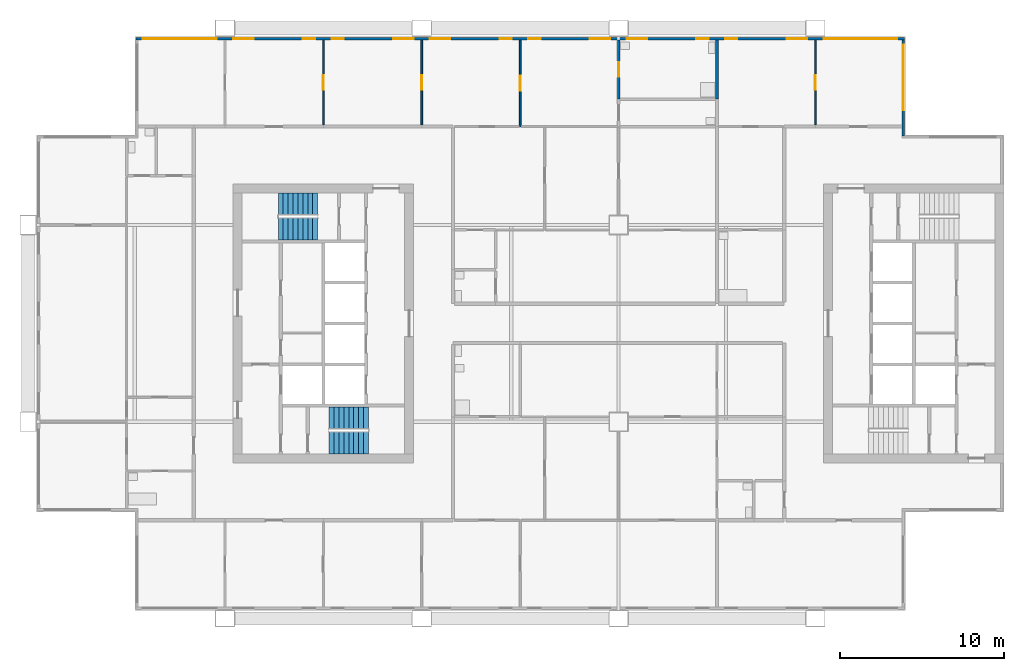
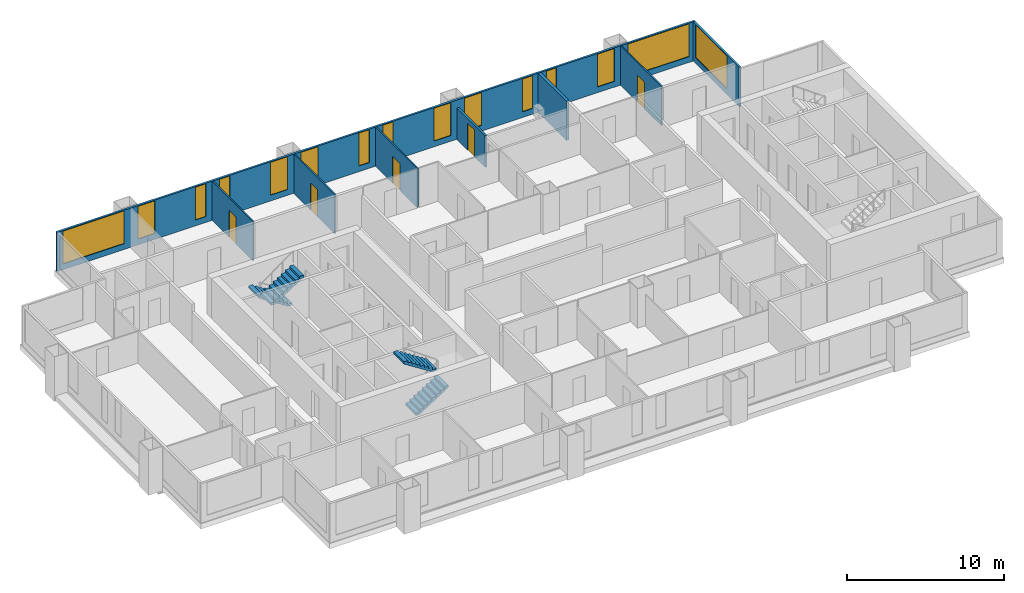
# One storey, part 7 of 10: 15 windows, 8 walls, 5 doors, 4 stair flights, 20 openings, 2 elements without a shape of their own.
"""IFC4 building model written with IfcOpenShell, lengths in metres."""

import ifcopenshell
import ifcopenshell.guid

model = None  # the IFC model being written
_history = None  # IfcOwnerHistory: only IFC2X3 demands one
_inside = {}  # id of a spatial element -> (the spatial element, [elements in it])
_under = {}  # id of a project, library or spatial element -> (it, [spatial elements below it])
_declared = {}  # id of a project -> (the project, [libraries it declares])
_typed = {}  # id of a type object -> (the type object, [elements of that type])
_made_of = {}  # id of a material, layer set ... -> (it, [elements and type objects made of it])


def new_model(schema):
    """Start an empty IFC model of exactly this schema.

    Asked for "IFC4X3", IfcOpenShell would pick the latest addendum, in which some entities
    have other attributes; the version numbers below select the first issue.
    IFC2X3 requires an IfcOwnerHistory on every rooted entity: one is made here for all.
    """
    global model, _history
    if schema == "IFC4X3":
        model = ifcopenshell.file(schema_version=(4, 3, 0, 0))
    else:
        model = ifcopenshell.file(schema=schema)
    _inside.clear()
    _under.clear()
    _declared.clear()
    _typed.clear()
    _made_of.clear()
    _history = None
    if model.schema == "IFC2X3":
        org = make("IfcOrganization", Name="unknown")
        user = make(
            "IfcPersonAndOrganization",
            ThePerson=make("IfcPerson", FamilyName="unknown"),
            TheOrganization=org,
        )
        app = make(
            "IfcApplication",
            ApplicationDeveloper=org,
            Version="unknown",
            ApplicationFullName="unknown",
            ApplicationIdentifier="unknown",
        )
        _history = make(
            "IfcOwnerHistory",
            OwningUser=user,
            OwningApplication=app,
            ChangeAction="ADDED",
            CreationDate=0,
        )
    return model


def make(cls, **values):
    """One entity of the class cls with the attributes given. An attribute that is None is left unset."""
    return model.create_entity(
        cls, **{name: value for name, value in values.items() if value is not None}
    )


def rooted(cls, **values):
    """An entity with a GlobalId (a new one), such as an element, a storey or a relation."""
    return make(cls, GlobalId=ifcopenshell.guid.new(), OwnerHistory=_history, **values)


def si_unit(unit_type, name, prefix=None):
    """IfcSIUnit, for example si_unit("LENGTHUNIT", "METRE", prefix="MILLI")."""
    return make("IfcSIUnit", UnitType=unit_type, Prefix=prefix, Name=name)


def assignment(units):
    """IfcUnitAssignment: the units of a project."""
    return None if units is None else make("IfcUnitAssignment", Units=units)


def point(xyz):
    """IfcCartesianPoint."""
    return None if xyz is None else make("IfcCartesianPoint", Coordinates=xyz)


def direction(xyz):
    """IfcDirection."""
    return None if xyz is None else make("IfcDirection", DirectionRatios=xyz)


def frame(location, z_axis=None, x_axis=None):
    """IfcAxis2Placement3D, a coordinate frame: its origin and axes. An axis left out is left unset."""
    return make(
        "IfcAxis2Placement3D",
        Location=point(location),
        Axis=direction(z_axis),
        RefDirection=direction(x_axis),
    )


def frame_2d(location, x_axis=None):
    """IfcAxis2Placement2D, a coordinate frame in the plane: its origin and x axis."""
    return make(
        "IfcAxis2Placement2D", Location=point(location), RefDirection=direction(x_axis)
    )


def origin():
    """The frame at (0, 0, 0) with its axes left unset."""
    return frame((0.0, 0.0, 0.0))


def place(relative_to, where):
    """IfcLocalPlacement: puts the frame where relative to a parent placement (None: the world)."""
    return make(
        "IfcLocalPlacement", PlacementRelTo=relative_to, RelativePlacement=where
    )


def context(
    kind, dimensions, precision=None, world=None, true_north=None, identifier=None
):
    """IfcGeometricRepresentationContext, for example the 3D "Model" context."""
    return make(
        "IfcGeometricRepresentationContext",
        ContextIdentifier=identifier,
        ContextType=kind,
        CoordinateSpaceDimension=dimensions,
        Precision=precision,
        WorldCoordinateSystem=world,
        TrueNorth=true_north,
    )


def subcontext(parent, identifier, kind, view, scale=None):
    """IfcGeometricRepresentationSubContext, for example "Body" below "Model"."""
    return make(
        "IfcGeometricRepresentationSubContext",
        ContextIdentifier=identifier,
        ContextType=kind,
        ParentContext=parent,
        TargetScale=scale,
        TargetView=view,
    )


def project(units=None, contexts=None):
    """IfcProject with its units and contexts."""
    return rooted(
        "IfcProject",
        Name="project",
        RepresentationContexts=contexts,
        UnitsInContext=assignment(units),
    )


def spatial(cls, under=None, at=None, **own):
    """A site, building, storey or space (cls), placed at a placement, below another one or the project."""
    s = rooted(cls, ObjectPlacement=at, **own)
    if under is not None:
        _under.setdefault(under.id(), (under, []))[1].append(s)
    return s


def polyline(points):
    """IfcPolyline through the points."""
    return make("IfcPolyline", Points=[point(p) for p in points])


def profile(cls, at=None, kind="AREA", **sizes):
    """A parametric profile (cls). Its sizes go by their IFC names, for example OverallWidth=200.0."""
    return make(cls, ProfileType=kind, Position=at, **sizes)


def rectangle(**sizes):
    """IfcRectangleProfileDef."""
    return profile("IfcRectangleProfileDef", **sizes)


def outline(outer, holes=None, kind="AREA"):
    """IfcArbitraryClosedProfileDef: a profile drawn as a closed curve; with holes, ...WithVoids."""
    if holes is None:
        return make("IfcArbitraryClosedProfileDef", ProfileType=kind, OuterCurve=outer)
    return make(
        "IfcArbitraryProfileDefWithVoids",
        ProfileType=kind,
        OuterCurve=outer,
        InnerCurves=holes,
    )


def extrude(swept, where, along, depth):
    """IfcExtrudedAreaSolid: the profile swept, set in the frame where, extruded along a direction by depth."""
    return make(
        "IfcExtrudedAreaSolid",
        SweptArea=swept,
        Position=where,
        ExtrudedDirection=direction(along),
        Depth=depth,
    )


def shape(context_of_items, identifier, shape_type, items):
    """IfcShapeRepresentation: the items that make up one representation, for example the "Body"."""
    return make(
        "IfcShapeRepresentation",
        ContextOfItems=context_of_items,
        RepresentationIdentifier=identifier,
        RepresentationType=shape_type,
        Items=items,
    )


def material(Name=None, Category=None):
    """IfcMaterial."""
    return make("IfcMaterial", Name=Name, Category=Category)


def layer(
    of_material, thickness, ventilated=None, Name=None, Category=None, Priority=None
):
    """IfcMaterialLayer: one layer of a wall or slab, of a material (None: an air gap)."""
    return make(
        "IfcMaterialLayer",
        Material=of_material,
        LayerThickness=thickness,
        IsVentilated=ventilated,
        Name=Name,
        Category=Category,
        Priority=Priority,
    )


def layer_set(layers, Name=None):
    """IfcMaterialLayerSet."""
    return make("IfcMaterialLayerSet", MaterialLayers=layers, LayerSetName=Name)


def made_of(thing, what):
    """Note that an element or type object is made of a material, layer set ...; save() writes the relation."""
    if what is not None:
        _made_of.setdefault(what.id(), (what, []))[1].append(thing)
    return thing


def type_object(cls, material=None, **own):
    """A type object (cls), such as IfcWallType, which elements share."""
    return made_of(rooted(cls, **own), material)


def element(
    cls,
    number,
    at=None,
    inside=None,
    cuts=None,
    type_object=None,
    material=None,
    context=None,
    identifier="Body",
    shape_type=None,
    held_by="IfcProductDefinitionShape",
    body=None,
    shapes=None,
    **own,
):
    """One element of the class cls, such as IfcWall. Its Tag is "e" and its number.

    at: its placement. inside: the storey or other place that contains it. cuts: it is an
    opening in that element (IfcRelVoidsElement). A single representation is given by context,
    identifier, shape_type and body (its items); several are given by shapes. held_by: the class
    of the entity that holds the representations. save() writes the other relations.
    """
    e = rooted(cls, Tag="e%d" % number, ObjectPlacement=at, **own)
    if body is not None:
        shapes = [shape(context, identifier, shape_type, body)]
    if shapes is not None:
        e.Representation = make(held_by, Representations=shapes)
    if inside is not None:
        _inside.setdefault(inside.id(), (inside, []))[1].append(e)
    if cuts is not None:
        rooted(
            "IfcRelVoidsElement", RelatingBuildingElement=cuts, RelatedOpeningElement=e
        )
    if type_object is not None:
        _typed.setdefault(type_object.id(), (type_object, []))[1].append(e)
    return made_of(e, material)


def fill(opening, filler):
    """IfcRelFillsElement: the door or window that sits in an opening."""
    return rooted(
        "IfcRelFillsElement",
        RelatingOpeningElement=opening,
        RelatedBuildingElement=filler,
    )


def aggregate(whole, parts):
    """IfcRelAggregates: a whole, such as a stair, and the parts it consists of."""
    return rooted("IfcRelAggregates", RelatingObject=whole, RelatedObjects=parts)


def save(model, path):
    """Write the relations noted so far, then the file.

    IfcRelAggregates (storeys below a building ...), IfcRelContainedInSpatialStructure (elements
    in a storey), IfcRelDefinesByType, IfcRelAssociatesMaterial and IfcRelDeclares: one each for
    every whole, place, type object, material and project.
    """
    for whole, parts in _under.values():
        aggregate(whole, parts)
    for where, things in _inside.values():
        rooted(
            "IfcRelContainedInSpatialStructure",
            RelatedElements=things,
            RelatingStructure=where,
        )
    for kind, things in _typed.values():
        rooted("IfcRelDefinesByType", RelatedObjects=things, RelatingType=kind)
    for what, things in _made_of.values():
        rooted("IfcRelAssociatesMaterial", RelatedObjects=things, RelatingMaterial=what)
    for by, libraries in _declared.values():
        rooted("IfcRelDeclares", RelatingContext=by, RelatedDefinitions=libraries)
    model.write(path)


model = new_model("IFC4")

# Units and contexts
model_context = context("Model", 3, precision=1e-05, world=origin(), true_north=direction((0.0, 1.0)))
body_context = subcontext(model_context, "Body", "Model", "MODEL_VIEW")
ifc_project = project(units=[si_unit("LENGTHUNIT", "METRE"), si_unit("AREAUNIT", "SQUARE_METRE"), si_unit("VOLUMEUNIT", "CUBIC_METRE"), si_unit("PLANEANGLEUNIT", "RADIAN"), si_unit("MASSUNIT", "GRAM", prefix="KILO")], contexts=[model_context])

# Site, building, storey
site_placement = place(None, origin())
site = spatial("IfcSite", under=ifc_project, at=site_placement, CompositionType="ELEMENT")
building_placement = place(site_placement, origin())
building = spatial("IfcBuilding", under=site, at=building_placement, Name="Kitamizu Gate Tower and Museum", CompositionType="ELEMENT")
storey_placement = place(building_placement, frame((0.0, 0.0, 185.85009765625)))
storey = spatial("IfcBuildingStorey", under=building, at=storey_placement, Name="L49", CompositionType="ELEMENT", Elevation=185.85009765625)

# Wall, opening, door
ifc_material_1 = material(Name="Gypsum board on galvanised stud")
ifc_layer_1 = layer(ifc_material_1, 0.10009765625)
ifc_layer_set_1 = layer_set([ifc_layer_1], Name="Gypsum board on galvanised stud")
wall_type_1 = type_object("IfcWallType", Name="Partition 100 NOT RATED", PredefinedType="PARTITIONING", material=ifc_layer_set_1)
wall_1_placement = place(storey_placement, frame((18.0, 42.10009765625, 0.0), z_axis=(0.0, 0.0, 1.0), x_axis=(0.0, 1.0, 0.0)))
wall_1 = element("IfcWall", 1, at=wall_1_placement, inside=storey, type_object=wall_type_1, Name="Partition L49-045", PredefinedType="PARTITIONING", context=body_context, shape_type="SweptSolid", body=[
    extrude(rectangle(XDim=5.179931640625, YDim=0.10009765625, at=frame_2d((2.58984375, 0.0))), origin(), (0.0, 0.0, 1.0), 3.0498046875),
])
opening_1_placement = place(wall_1_placement, frame((2.139892578125, 0.0, 0.0)))
opening_1 = element("IfcOpeningElement", 2, at=opening_1_placement, cuts=wall_1, Name="Opening L49-016", PredefinedType="OPENING", context=body_context, shape_type="SweptSolid", body=[
    extrude(rectangle(XDim=0.89990234375, YDim=2.10009765625, at=frame_2d((0.449951171875, 1.050048828125))), frame((0.0, 0.06005859375, 0.0), z_axis=(0.0, -1.0, 0.0), x_axis=(1.0, 0.0, 0.0)), (0.0, 0.0, 1.0), 0.1201171875),
])
ifc_material_2 = material(Name="Timber door set", Category="wood")
door_type_1 = type_object("IfcDoorType", Name="Room door 900", OperationType="NOTDEFINED", PredefinedType="DOOR", material=ifc_material_2)
door_1_placement = place(opening_1_placement, frame((0.89990234375, 0.0, 0.0), x_axis=(-1.0, 0.0, 0.0)))
door_1 = element("IfcDoor", 3, at=door_1_placement, inside=storey, type_object=door_type_1, Name="Door L49-016", OperationType="SINGLE_SWING_RIGHT", OverallHeight=2.10009765625, OverallWidth=0.89990234375, PredefinedType="DOOR", context=body_context, shape_type="SweptSolid", body=[
    extrude(rectangle(XDim=0.89990234375, YDim=2.10009765625, at=frame_2d((0.449951171875, 1.050048828125))), frame((0.0, 0.02490234375, 0.0), z_axis=(0.0, -1.0, 0.0), x_axis=(1.0, 0.0, 0.0)), (0.0, 0.0, 1.0), 0.050048828125),
])
fill(opening_1, door_1)

wall_2_placement = place(storey_placement, frame((24.0, 42.10009765625, 0.0), z_axis=(0.0, 0.0, 1.0), x_axis=(0.0, 1.0, 0.0)))
wall_2 = element("IfcWall", 4, at=wall_2_placement, inside=storey, type_object=wall_type_1, Name="Partition L49-047", PredefinedType="PARTITIONING", context=body_context, shape_type="SweptSolid", body=[
    extrude(rectangle(XDim=5.179931640625, YDim=0.10009765625, at=frame_2d((2.58984375, 0.0))), origin(), (0.0, 0.0, 1.0), 3.0498046875),
])
opening_2_placement = place(wall_2_placement, frame((2.139892578125, 0.0, 0.0)))
opening_2 = element("IfcOpeningElement", 5, at=opening_2_placement, cuts=wall_2, Name="Opening L49-018", PredefinedType="OPENING", context=body_context, shape_type="SweptSolid", body=[
    extrude(rectangle(XDim=0.89990234375, YDim=2.10009765625, at=frame_2d((0.449951171875, 1.050048828125))), frame((0.0, 0.06005859375, 0.0), z_axis=(0.0, -1.0, 0.0), x_axis=(1.0, 0.0, 0.0)), (0.0, 0.0, 1.0), 0.1201171875),
])
door_2_placement = place(opening_2_placement, origin())
door_2 = element("IfcDoor", 6, at=door_2_placement, inside=storey, type_object=door_type_1, Name="Door L49-018", OperationType="SINGLE_SWING_LEFT", OverallHeight=2.10009765625, OverallWidth=0.89990234375, PredefinedType="DOOR", context=body_context, shape_type="SweptSolid", body=[
    extrude(rectangle(XDim=0.89990234375, YDim=2.10009765625, at=frame_2d((0.449951171875, 1.050048828125))), frame((0.0, 0.02490234375, 0.0), z_axis=(0.0, -1.0, 0.0), x_axis=(1.0, 0.0, 0.0)), (0.0, 0.0, 1.0), 0.050048828125),
])
fill(opening_2, door_2)

wall_3_placement = place(storey_placement, frame((30.0, 42.0, 0.0), z_axis=(0.0, 0.0, 1.0), x_axis=(0.0, 1.0, 0.0)))
wall_3 = element("IfcWall", 7, at=wall_3_placement, inside=storey, type_object=wall_type_1, Name="Partition L49-049", PredefinedType="PARTITIONING", context=body_context, shape_type="SweptSolid", body=[
    extrude(rectangle(XDim=5.280029296875, YDim=0.10009765625, at=frame_2d((2.64013671875, 0.0))), origin(), (0.0, 0.0, 1.0), 3.0498046875),
])
opening_3_placement = place(wall_3_placement, frame((2.18994140625, 0.0, 0.0)))
opening_3 = element("IfcOpeningElement", 8, at=opening_3_placement, cuts=wall_3, Name="Opening L49-019", PredefinedType="OPENING", context=body_context, shape_type="SweptSolid", body=[
    extrude(rectangle(XDim=0.89990234375, YDim=2.10009765625, at=frame_2d((0.449951171875, 1.050048828125))), frame((0.0, 0.06005859375, 0.0), z_axis=(0.0, -1.0, 0.0), x_axis=(1.0, 0.0, 0.0)), (0.0, 0.0, 1.0), 0.1201171875),
])
door_3_placement = place(opening_3_placement, origin())
door_3 = element("IfcDoor", 9, at=door_3_placement, inside=storey, type_object=door_type_1, Name="Door L49-019", OperationType="SINGLE_SWING_RIGHT", OverallHeight=2.10009765625, OverallWidth=0.89990234375, PredefinedType="DOOR", context=body_context, shape_type="SweptSolid", body=[
    extrude(rectangle(XDim=0.89990234375, YDim=2.10009765625, at=frame_2d((0.449951171875, 1.050048828125))), frame((0.0, 0.02490234375, 0.0), z_axis=(0.0, -1.0, 0.0), x_axis=(1.0, 0.0, 0.0)), (0.0, 0.0, 1.0), 0.050048828125),
])
fill(opening_3, door_3)

wall_4_placement = place(storey_placement, frame((48.0, 42.10009765625, 0.0), z_axis=(0.0, 0.0, 1.0), x_axis=(0.0, 1.0, 0.0)))
wall_4 = element("IfcWall", 10, at=wall_4_placement, inside=storey, type_object=wall_type_1, Name="Partition L49-098", PredefinedType="PARTITIONING", context=body_context, shape_type="SweptSolid", body=[
    extrude(rectangle(XDim=5.179931640625, YDim=0.10009765625, at=frame_2d((2.58984375, 0.0))), origin(), (0.0, 0.0, 1.0), 3.0498046875),
])
opening_4_placement = place(wall_4_placement, frame((2.139892578125, 0.0, 0.0)))
opening_4 = element("IfcOpeningElement", 11, at=opening_4_placement, cuts=wall_4, Name="Opening L49-037", PredefinedType="OPENING", context=body_context, shape_type="SweptSolid", body=[
    extrude(rectangle(XDim=0.89990234375, YDim=2.10009765625, at=frame_2d((0.449951171875, 1.050048828125))), frame((0.0, 0.06005859375, 0.0), z_axis=(0.0, -1.0, 0.0), x_axis=(1.0, 0.0, 0.0)), (0.0, 0.0, 1.0), 0.1201171875),
])
door_4_placement = place(opening_4_placement, origin())
door_4 = element("IfcDoor", 12, at=door_4_placement, inside=storey, type_object=door_type_1, Name="Door L49-037", OperationType="SINGLE_SWING_LEFT", OverallHeight=2.10009765625, OverallWidth=0.89990234375, PredefinedType="DOOR", context=body_context, shape_type="SweptSolid", body=[
    extrude(rectangle(XDim=0.89990234375, YDim=2.10009765625, at=frame_2d((0.449951171875, 1.050048828125))), frame((0.0, 0.02490234375, 0.0), z_axis=(0.0, -1.0, 0.0), x_axis=(1.0, 0.0, 0.0)), (0.0, 0.0, 1.0), 0.050048828125),
])
fill(opening_4, door_4)

ifc_material_3 = material(Name="Gypsum board on galvanised stud")
ifc_layer_2 = layer(ifc_material_3, 0.14990234375)
ifc_layer_set_2 = layer_set([ifc_layer_2], Name="Gypsum board on galvanised stud")
wall_type_2 = type_object("IfcWallType", Name="Partition 150", PredefinedType="PARTITIONING", material=ifc_layer_set_2)
wall_5_placement = place(storey_placement, frame((36.0, 43.679931640625, 0.0), z_axis=(0.0, 0.0, 1.0), x_axis=(0.0, 1.0, 0.0)))
wall_5 = element("IfcWall", 13, at=wall_5_placement, inside=storey, type_object=wall_type_2, Name="Partition L49-052", PredefinedType="PARTITIONING", context=body_context, shape_type="SweptSolid", body=[
    extrude(rectangle(XDim=3.60009765625, YDim=0.14990234375, at=frame_2d((1.800048828125, 0.0))), origin(), (0.0, 0.0, 1.0), 2.449951171875),
])
opening_5_placement = place(wall_5_placement, frame((1.35009765625, 0.0, 0.0)))
opening_5 = element("IfcOpeningElement", 14, at=opening_5_placement, cuts=wall_5, Name="Opening L49-020", PredefinedType="OPENING", context=body_context, shape_type="SweptSolid", body=[
    extrude(rectangle(XDim=0.89990234375, YDim=2.10009765625, at=frame_2d((0.449951171875, 1.050048828125))), frame((0.0, 0.0849609375, 0.0), z_axis=(0.0, -1.0, 0.0), x_axis=(1.0, 0.0, 0.0)), (0.0, 0.0, 1.0), 0.169921875),
])
ifc_material_4 = material(Name="Timber door set", Category="wood")
door_type_2 = type_object("IfcDoorType", Name="Bathroom door 900", OperationType="NOTDEFINED", PredefinedType="DOOR", material=ifc_material_4)
door_5_placement = place(opening_5_placement, frame((0.89990234375, 0.0, 0.0), x_axis=(-1.0, 0.0, 0.0)))
door_5 = element("IfcDoor", 15, at=door_5_placement, inside=storey, type_object=door_type_2, Name="Bathroom door L49-020", OperationType="SINGLE_SWING_RIGHT", OverallHeight=2.10009765625, OverallWidth=0.89990234375, PredefinedType="DOOR", context=body_context, shape_type="SweptSolid", body=[
    extrude(rectangle(XDim=0.89990234375, YDim=2.10009765625, at=frame_2d((0.449951171875, 1.050048828125))), frame((0.0, 0.02490234375, 0.0), z_axis=(0.0, -1.0, 0.0), x_axis=(1.0, 0.0, 0.0)), (0.0, 0.0, 1.0), 0.050048828125),
])
fill(opening_5, door_5)

# Wall
ifc_material_5 = material(Name="Gypsum board on galvanised stud")
ifc_layer_3 = layer(ifc_material_5, 0.199951171875)
ifc_layer_set_3 = layer_set([ifc_layer_3], Name="Gypsum board on galvanised stud")
wall_type_3 = type_object("IfcWallType", Name="Partition 200", PredefinedType="PARTITIONING", material=ifc_layer_set_3)
wall_6_placement = place(storey_placement, frame((42.0, 43.679931640625, 0.0), z_axis=(0.0, 0.0, 1.0), x_axis=(0.0, 1.0, 0.0)))
element("IfcWall", 16, at=wall_6_placement, inside=storey, type_object=wall_type_3, Name="Partition L49-057", PredefinedType="PARTITIONING", context=body_context, shape_type="SweptSolid", body=[
    extrude(rectangle(XDim=3.60009765625, YDim=0.199951171875, at=frame_2d((1.800048828125, 0.0))), origin(), (0.0, 0.0, 1.0), 3.0498046875),
])

# Wall, opening, window
ifc_material_6 = material(Name="Bronze anodised aluminium frame with insulated spandrel and tinted glass", Category="aluminium")
ifc_layer_4 = layer(ifc_material_6, 0.14990234375)
ifc_layer_set_4 = layer_set([ifc_layer_4], Name="Bronze anodised aluminium frame with insulated spandrel and tinted glass")
wall_type_4 = type_object("IfcWallType", Name="WINDOW WALL 150 BRONZE FRAME EI 30", PredefinedType="ELEMENTEDWALL", material=ifc_layer_set_4)
wall_7_placement = place(storey_placement, frame((53.364990234375, 41.43994140625, 0.0), z_axis=(0.0, 0.0, 1.0), x_axis=(0.0, 1.0, 0.0)))
wall_7 = element("IfcWall", 17, at=wall_7_placement, inside=storey, type_object=wall_type_4, Name="Window wall east L49", PredefinedType="ELEMENTEDWALL", context=body_context, shape_type="SweptSolid", body=[
    extrude(rectangle(XDim=5.85009765625, YDim=0.14990234375, at=frame_2d((2.925048828125, 0.0))), origin(), (0.0, 0.0, 1.0), 3.0498046875),
])
opening_6_placement = place(wall_7_placement, frame((1.56005859375, 0.0, 0.449951171875)))
opening_6 = element("IfcOpeningElement", 18, at=opening_6_placement, cuts=wall_7, Name="Opening W16", PredefinedType="OPENING", context=body_context, shape_type="SweptSolid", body=[
    extrude(rectangle(XDim=4.0, YDim=2.550048828125, at=frame_2d((2.0, 1.27490234375))), frame((0.0, 0.0849609375, 0.0), z_axis=(0.0, -1.0, 0.0), x_axis=(1.0, 0.0, 0.0)), (0.0, 0.0, 1.0), 0.169921875),
])
ifc_material_7 = material(Name="Bronze anodised aluminium frame, tinted triple glazing", Category="aluminium")
window_type_1 = type_object("IfcWindowType", Name="WINDOW 4000 x 2550 SILL 450", PartitioningType="SINGLE_PANEL", PredefinedType="WINDOW", material=ifc_material_7)
window_1_placement = place(opening_6_placement, origin())
window_1 = element("IfcWindow", 19, at=window_1_placement, inside=storey, type_object=window_type_1, Name="Window W16 L49", OverallHeight=2.550048828125, OverallWidth=4.0, PartitioningType="SINGLE_PANEL", PredefinedType="WINDOW", context=body_context, shape_type="SweptSolid", body=[
    extrude(rectangle(XDim=4.0, YDim=2.550048828125, at=frame_2d((2.0, 1.27490234375))), frame((0.0, 0.030029296875, 0.0), z_axis=(0.0, -1.0, 0.0), x_axis=(1.0, 0.0, 0.0)), (0.0, 0.0, 1.0), 0.06005859375),
])
fill(opening_6, window_1)

# Wall, openings, windows
wall_8_placement = place(storey_placement, frame((6.56005859375, 47.364990234375, 0.0), z_axis=(0.0, 0.0, 1.0), x_axis=(1.0, 0.0, 0.0)))
wall_8 = element("IfcWall", 20, at=wall_8_placement, inside=storey, type_object=wall_type_4, Name="Window wall north L49", PredefinedType="ELEMENTEDWALL", context=body_context, shape_type="SweptSolid", body=[
    extrude(rectangle(XDim=46.8798828125, YDim=0.14990234375, at=frame_2d((23.43994140625, 0.0))), origin(), (0.0, 0.0, 1.0), 3.0498046875),
])
opening_7_placement = place(wall_8_placement, frame((0.43994140625, 0.0, 0.449951171875)))
opening_7 = element("IfcOpeningElement", 21, at=opening_7_placement, cuts=wall_8, Name="Opening W15", PredefinedType="OPENING", context=body_context, shape_type="SweptSolid", body=[
    extrude(rectangle(XDim=4.5, YDim=2.550048828125, at=frame_2d((2.25, 1.27490234375))), frame((0.0, 0.0849609375, 0.0), z_axis=(0.0, -1.0, 0.0), x_axis=(1.0, 0.0, 0.0)), (0.0, 0.0, 1.0), 0.169921875),
])
opening_8_placement = place(wall_8_placement, frame((5.93994140625, 0.0, 0.449951171875)))
opening_8 = element("IfcOpeningElement", 22, at=opening_8_placement, cuts=wall_8, Name="Opening W27", PredefinedType="OPENING", context=body_context, shape_type="SweptSolid", body=[
    extrude(rectangle(XDim=1.25, YDim=2.550048828125, at=frame_2d((0.625, 1.27490234375))), frame((0.0, 0.0849609375, 0.0), z_axis=(0.0, -1.0, 0.0), x_axis=(1.0, 0.0, 0.0)), (0.0, 0.0, 1.0), 0.169921875),
])
opening_9_placement = place(wall_8_placement, frame((10.18994140625, 0.0, 0.449951171875)))
opening_9 = element("IfcOpeningElement", 23, at=opening_9_placement, cuts=wall_8, Name="Opening W25", PredefinedType="OPENING", context=body_context, shape_type="SweptSolid", body=[
    extrude(rectangle(XDim=0.75, YDim=2.550048828125, at=frame_2d((0.375, 1.27490234375))), frame((0.0, 0.0849609375, 0.0), z_axis=(0.0, -1.0, 0.0), x_axis=(1.0, 0.0, 0.0)), (0.0, 0.0, 1.0), 0.169921875),
])
opening_10_placement = place(wall_8_placement, frame((11.93994140625, 0.0, 0.449951171875)))
opening_10 = element("IfcOpeningElement", 24, at=opening_10_placement, cuts=wall_8, Name="Opening W25", PredefinedType="OPENING", context=body_context, shape_type="SweptSolid", body=[
    extrude(rectangle(XDim=0.75, YDim=2.550048828125, at=frame_2d((0.375, 1.27490234375))), frame((0.0, 0.0849609375, 0.0), z_axis=(0.0, -1.0, 0.0), x_axis=(1.0, 0.0, 0.0)), (0.0, 0.0, 1.0), 0.169921875),
])
opening_11_placement = place(wall_8_placement, frame((15.68994140625, 0.0, 0.449951171875)))
opening_11 = element("IfcOpeningElement", 25, at=opening_11_placement, cuts=wall_8, Name="Opening W27", PredefinedType="OPENING", context=body_context, shape_type="SweptSolid", body=[
    extrude(rectangle(XDim=1.25, YDim=2.550048828125, at=frame_2d((0.625, 1.27490234375))), frame((0.0, 0.0849609375, 0.0), z_axis=(0.0, -1.0, 0.0), x_axis=(1.0, 0.0, 0.0)), (0.0, 0.0, 1.0), 0.169921875),
])
opening_12_placement = place(wall_8_placement, frame((17.93994140625, 0.0, 0.449951171875)))
opening_12 = element("IfcOpeningElement", 26, at=opening_12_placement, cuts=wall_8, Name="Opening W27", PredefinedType="OPENING", context=body_context, shape_type="SweptSolid", body=[
    extrude(rectangle(XDim=1.25, YDim=2.550048828125, at=frame_2d((0.625, 1.27490234375))), frame((0.0, 0.0849609375, 0.0), z_axis=(0.0, -1.0, 0.0), x_axis=(1.0, 0.0, 0.0)), (0.0, 0.0, 1.0), 0.169921875),
])
opening_13_placement = place(wall_8_placement, frame((22.18994140625, 0.0, 0.449951171875)))
opening_13 = element("IfcOpeningElement", 27, at=opening_13_placement, cuts=wall_8, Name="Opening W25", PredefinedType="OPENING", context=body_context, shape_type="SweptSolid", body=[
    extrude(rectangle(XDim=0.75, YDim=2.550048828125, at=frame_2d((0.375, 1.27490234375))), frame((0.0, 0.0849609375, 0.0), z_axis=(0.0, -1.0, 0.0), x_axis=(1.0, 0.0, 0.0)), (0.0, 0.0, 1.0), 0.169921875),
])
opening_14_placement = place(wall_8_placement, frame((23.93994140625, 0.0, 0.449951171875)))
opening_14 = element("IfcOpeningElement", 28, at=opening_14_placement, cuts=wall_8, Name="Opening W25", PredefinedType="OPENING", context=body_context, shape_type="SweptSolid", body=[
    extrude(rectangle(XDim=0.75, YDim=2.550048828125, at=frame_2d((0.375, 1.27490234375))), frame((0.0, 0.0849609375, 0.0), z_axis=(0.0, -1.0, 0.0), x_axis=(1.0, 0.0, 0.0)), (0.0, 0.0, 1.0), 0.169921875),
])
opening_15_placement = place(wall_8_placement, frame((27.68994140625, 0.0, 0.449951171875)))
opening_15 = element("IfcOpeningElement", 29, at=opening_15_placement, cuts=wall_8, Name="Opening W27", PredefinedType="OPENING", context=body_context, shape_type="SweptSolid", body=[
    extrude(rectangle(XDim=1.25, YDim=2.550048828125, at=frame_2d((0.625, 1.27490234375))), frame((0.0, 0.0849609375, 0.0), z_axis=(0.0, -1.0, 0.0), x_axis=(1.0, 0.0, 0.0)), (0.0, 0.0, 1.0), 0.169921875),
])
opening_16_placement = place(wall_8_placement, frame((29.93994140625, 0.0, 0.449951171875)))
opening_16 = element("IfcOpeningElement", 30, at=opening_16_placement, cuts=wall_8, Name="Opening W27", PredefinedType="OPENING", context=body_context, shape_type="SweptSolid", body=[
    extrude(rectangle(XDim=1.25, YDim=2.550048828125, at=frame_2d((0.625, 1.27490234375))), frame((0.0, 0.0849609375, 0.0), z_axis=(0.0, -1.0, 0.0), x_axis=(1.0, 0.0, 0.0)), (0.0, 0.0, 1.0), 0.169921875),
])
opening_17_placement = place(wall_8_placement, frame((34.18994140625, 0.0, 0.449951171875)))
opening_17 = element("IfcOpeningElement", 31, at=opening_17_placement, cuts=wall_8, Name="Opening W25", PredefinedType="OPENING", context=body_context, shape_type="SweptSolid", body=[
    extrude(rectangle(XDim=0.75, YDim=2.550048828125, at=frame_2d((0.375, 1.27490234375))), frame((0.0, 0.0849609375, 0.0), z_axis=(0.0, -1.0, 0.0), x_axis=(1.0, 0.0, 0.0)), (0.0, 0.0, 1.0), 0.169921875),
])
opening_18_placement = place(wall_8_placement, frame((35.93994140625, 0.0, 0.449951171875)))
opening_18 = element("IfcOpeningElement", 32, at=opening_18_placement, cuts=wall_8, Name="Opening W25", PredefinedType="OPENING", context=body_context, shape_type="SweptSolid", body=[
    extrude(rectangle(XDim=0.75, YDim=2.550048828125, at=frame_2d((0.375, 1.27490234375))), frame((0.0, 0.0849609375, 0.0), z_axis=(0.0, -1.0, 0.0), x_axis=(1.0, 0.0, 0.0)), (0.0, 0.0, 1.0), 0.169921875),
])
opening_19_placement = place(wall_8_placement, frame((39.68994140625, 0.0, 0.449951171875)))
opening_19 = element("IfcOpeningElement", 33, at=opening_19_placement, cuts=wall_8, Name="Opening W27", PredefinedType="OPENING", context=body_context, shape_type="SweptSolid", body=[
    extrude(rectangle(XDim=1.25, YDim=2.550048828125, at=frame_2d((0.625, 1.27490234375))), frame((0.0, 0.0849609375, 0.0), z_axis=(0.0, -1.0, 0.0), x_axis=(1.0, 0.0, 0.0)), (0.0, 0.0, 1.0), 0.169921875),
])
opening_20_placement = place(wall_8_placement, frame((41.93994140625, 0.0, 0.449951171875)))
opening_20 = element("IfcOpeningElement", 34, at=opening_20_placement, cuts=wall_8, Name="Opening W15", PredefinedType="OPENING", context=body_context, shape_type="SweptSolid", body=[
    extrude(rectangle(XDim=4.5, YDim=2.550048828125, at=frame_2d((2.25, 1.27490234375))), frame((0.0, 0.0849609375, 0.0), z_axis=(0.0, -1.0, 0.0), x_axis=(1.0, 0.0, 0.0)), (0.0, 0.0, 1.0), 0.169921875),
])
ifc_material_8 = material(Name="Bronze anodised aluminium frame, tinted triple glazing", Category="aluminium")
window_type_2 = type_object("IfcWindowType", Name="WINDOW 1250 x 2550 SILL 450", PartitioningType="SINGLE_PANEL", PredefinedType="WINDOW", material=ifc_material_8)
window_2_placement = place(opening_8_placement, origin())
window_2 = element("IfcWindow", 35, at=window_2_placement, inside=storey, type_object=window_type_2, Name="Window W27 L49", OverallHeight=2.550048828125, OverallWidth=1.25, PartitioningType="SINGLE_PANEL", PredefinedType="WINDOW", context=body_context, shape_type="SweptSolid", body=[
    extrude(rectangle(XDim=1.25, YDim=2.550048828125, at=frame_2d((0.625, 1.27490234375))), frame((0.0, 0.030029296875, 0.0), z_axis=(0.0, -1.0, 0.0), x_axis=(1.0, 0.0, 0.0)), (0.0, 0.0, 1.0), 0.06005859375),
])
fill(opening_8, window_2)
window_3_placement = place(opening_11_placement, origin())
window_3 = element("IfcWindow", 36, at=window_3_placement, inside=storey, type_object=window_type_2, Name="Window W27 L49", OverallHeight=2.550048828125, OverallWidth=1.25, PartitioningType="SINGLE_PANEL", PredefinedType="WINDOW", context=body_context, shape_type="SweptSolid", body=[
    extrude(rectangle(XDim=1.25, YDim=2.550048828125, at=frame_2d((0.625, 1.27490234375))), frame((0.0, 0.030029296875, 0.0), z_axis=(0.0, -1.0, 0.0), x_axis=(1.0, 0.0, 0.0)), (0.0, 0.0, 1.0), 0.06005859375),
])
fill(opening_11, window_3)
window_4_placement = place(opening_12_placement, origin())
window_4 = element("IfcWindow", 37, at=window_4_placement, inside=storey, type_object=window_type_2, Name="Window W27 L49", OverallHeight=2.550048828125, OverallWidth=1.25, PartitioningType="SINGLE_PANEL", PredefinedType="WINDOW", context=body_context, shape_type="SweptSolid", body=[
    extrude(rectangle(XDim=1.25, YDim=2.550048828125, at=frame_2d((0.625, 1.27490234375))), frame((0.0, 0.030029296875, 0.0), z_axis=(0.0, -1.0, 0.0), x_axis=(1.0, 0.0, 0.0)), (0.0, 0.0, 1.0), 0.06005859375),
])
fill(opening_12, window_4)
window_5_placement = place(opening_15_placement, origin())
window_5 = element("IfcWindow", 38, at=window_5_placement, inside=storey, type_object=window_type_2, Name="Window W27 L49", OverallHeight=2.550048828125, OverallWidth=1.25, PartitioningType="SINGLE_PANEL", PredefinedType="WINDOW", context=body_context, shape_type="SweptSolid", body=[
    extrude(rectangle(XDim=1.25, YDim=2.550048828125, at=frame_2d((0.625, 1.27490234375))), frame((0.0, 0.030029296875, 0.0), z_axis=(0.0, -1.0, 0.0), x_axis=(1.0, 0.0, 0.0)), (0.0, 0.0, 1.0), 0.06005859375),
])
fill(opening_15, window_5)
window_6_placement = place(opening_16_placement, origin())
window_6 = element("IfcWindow", 39, at=window_6_placement, inside=storey, type_object=window_type_2, Name="Window W27 L49", OverallHeight=2.550048828125, OverallWidth=1.25, PartitioningType="SINGLE_PANEL", PredefinedType="WINDOW", context=body_context, shape_type="SweptSolid", body=[
    extrude(rectangle(XDim=1.25, YDim=2.550048828125, at=frame_2d((0.625, 1.27490234375))), frame((0.0, 0.030029296875, 0.0), z_axis=(0.0, -1.0, 0.0), x_axis=(1.0, 0.0, 0.0)), (0.0, 0.0, 1.0), 0.06005859375),
])
fill(opening_16, window_6)
window_7_placement = place(opening_19_placement, origin())
window_7 = element("IfcWindow", 40, at=window_7_placement, inside=storey, type_object=window_type_2, Name="Window W27 L49", OverallHeight=2.550048828125, OverallWidth=1.25, PartitioningType="SINGLE_PANEL", PredefinedType="WINDOW", context=body_context, shape_type="SweptSolid", body=[
    extrude(rectangle(XDim=1.25, YDim=2.550048828125, at=frame_2d((0.625, 1.27490234375))), frame((0.0, 0.030029296875, 0.0), z_axis=(0.0, -1.0, 0.0), x_axis=(1.0, 0.0, 0.0)), (0.0, 0.0, 1.0), 0.06005859375),
])
fill(opening_19, window_7)
ifc_material_9 = material(Name="Bronze anodised aluminium frame, tinted triple glazing", Category="aluminium")
window_type_3 = type_object("IfcWindowType", Name="WINDOW 4500 x 2550 SILL 450", PartitioningType="SINGLE_PANEL", PredefinedType="WINDOW", material=ifc_material_9)
window_8_placement = place(opening_7_placement, origin())
window_8 = element("IfcWindow", 41, at=window_8_placement, inside=storey, type_object=window_type_3, Name="Window W15 L49", OverallHeight=2.550048828125, OverallWidth=4.5, PartitioningType="SINGLE_PANEL", PredefinedType="WINDOW", context=body_context, shape_type="SweptSolid", body=[
    extrude(rectangle(XDim=4.5, YDim=2.550048828125, at=frame_2d((2.25, 1.27490234375))), frame((0.0, 0.030029296875, 0.0), z_axis=(0.0, -1.0, 0.0), x_axis=(1.0, 0.0, 0.0)), (0.0, 0.0, 1.0), 0.06005859375),
])
fill(opening_7, window_8)
window_9_placement = place(opening_20_placement, origin())
window_9 = element("IfcWindow", 42, at=window_9_placement, inside=storey, type_object=window_type_3, Name="Window W15 L49", OverallHeight=2.550048828125, OverallWidth=4.5, PartitioningType="SINGLE_PANEL", PredefinedType="WINDOW", context=body_context, shape_type="SweptSolid", body=[
    extrude(rectangle(XDim=4.5, YDim=2.550048828125, at=frame_2d((2.25, 1.27490234375))), frame((0.0, 0.030029296875, 0.0), z_axis=(0.0, -1.0, 0.0), x_axis=(1.0, 0.0, 0.0)), (0.0, 0.0, 1.0), 0.06005859375),
])
fill(opening_20, window_9)
ifc_material_10 = material(Name="Bronze anodised aluminium frame, tinted triple glazing", Category="aluminium")
window_type_4 = type_object("IfcWindowType", Name="WINDOW 750 x 2550 SILL 450", PartitioningType="SINGLE_PANEL", PredefinedType="WINDOW", material=ifc_material_10)
window_10_placement = place(opening_9_placement, origin())
window_10 = element("IfcWindow", 43, at=window_10_placement, inside=storey, type_object=window_type_4, Name="Window W25 L49", OverallHeight=2.550048828125, OverallWidth=0.75, PartitioningType="SINGLE_PANEL", PredefinedType="WINDOW", context=body_context, shape_type="SweptSolid", body=[
    extrude(rectangle(XDim=0.75, YDim=2.550048828125, at=frame_2d((0.375, 1.27490234375))), frame((0.0, 0.030029296875, 0.0), z_axis=(0.0, -1.0, 0.0), x_axis=(1.0, 0.0, 0.0)), (0.0, 0.0, 1.0), 0.06005859375),
])
fill(opening_9, window_10)
window_11_placement = place(opening_10_placement, origin())
window_11 = element("IfcWindow", 44, at=window_11_placement, inside=storey, type_object=window_type_4, Name="Window W25 L49", OverallHeight=2.550048828125, OverallWidth=0.75, PartitioningType="SINGLE_PANEL", PredefinedType="WINDOW", context=body_context, shape_type="SweptSolid", body=[
    extrude(rectangle(XDim=0.75, YDim=2.550048828125, at=frame_2d((0.375, 1.27490234375))), frame((0.0, 0.030029296875, 0.0), z_axis=(0.0, -1.0, 0.0), x_axis=(1.0, 0.0, 0.0)), (0.0, 0.0, 1.0), 0.06005859375),
])
fill(opening_10, window_11)
window_12_placement = place(opening_13_placement, origin())
window_12 = element("IfcWindow", 45, at=window_12_placement, inside=storey, type_object=window_type_4, Name="Window W25 L49", OverallHeight=2.550048828125, OverallWidth=0.75, PartitioningType="SINGLE_PANEL", PredefinedType="WINDOW", context=body_context, shape_type="SweptSolid", body=[
    extrude(rectangle(XDim=0.75, YDim=2.550048828125, at=frame_2d((0.375, 1.27490234375))), frame((0.0, 0.030029296875, 0.0), z_axis=(0.0, -1.0, 0.0), x_axis=(1.0, 0.0, 0.0)), (0.0, 0.0, 1.0), 0.06005859375),
])
fill(opening_13, window_12)
window_13_placement = place(opening_14_placement, origin())
window_13 = element("IfcWindow", 46, at=window_13_placement, inside=storey, type_object=window_type_4, Name="Window W25 L49", OverallHeight=2.550048828125, OverallWidth=0.75, PartitioningType="SINGLE_PANEL", PredefinedType="WINDOW", context=body_context, shape_type="SweptSolid", body=[
    extrude(rectangle(XDim=0.75, YDim=2.550048828125, at=frame_2d((0.375, 1.27490234375))), frame((0.0, 0.030029296875, 0.0), z_axis=(0.0, -1.0, 0.0), x_axis=(1.0, 0.0, 0.0)), (0.0, 0.0, 1.0), 0.06005859375),
])
fill(opening_14, window_13)
window_14_placement = place(opening_17_placement, origin())
window_14 = element("IfcWindow", 47, at=window_14_placement, inside=storey, type_object=window_type_4, Name="Window W25 L49", OverallHeight=2.550048828125, OverallWidth=0.75, PartitioningType="SINGLE_PANEL", PredefinedType="WINDOW", context=body_context, shape_type="SweptSolid", body=[
    extrude(rectangle(XDim=0.75, YDim=2.550048828125, at=frame_2d((0.375, 1.27490234375))), frame((0.0, 0.030029296875, 0.0), z_axis=(0.0, -1.0, 0.0), x_axis=(1.0, 0.0, 0.0)), (0.0, 0.0, 1.0), 0.06005859375),
])
fill(opening_17, window_14)
window_15_placement = place(opening_18_placement, origin())
window_15 = element("IfcWindow", 48, at=window_15_placement, inside=storey, type_object=window_type_4, Name="Window W25 L49", OverallHeight=2.550048828125, OverallWidth=0.75, PartitioningType="SINGLE_PANEL", PredefinedType="WINDOW", context=body_context, shape_type="SweptSolid", body=[
    extrude(rectangle(XDim=0.75, YDim=2.550048828125, at=frame_2d((0.375, 1.27490234375))), frame((0.0, 0.030029296875, 0.0), z_axis=(0.0, -1.0, 0.0), x_axis=(1.0, 0.0, 0.0)), (0.0, 0.0, 1.0), 0.06005859375),
])
fill(opening_18, window_15)

# Stair, stair flights
ifc_material_11 = material(Name="Concrete Fc42", Category="concrete")
stair_type = type_object("IfcStairType", Name="Exit stair 1325 wide 192 rise 300 going", PredefinedType="HALF_TURN_STAIR", material=ifc_material_11)
stair_1_placement = place(storey_placement, origin())
stair_1 = element("IfcStair", 49, at=stair_1_placement, inside=storey, type_object=stair_type, Name="Exit stair ST1", PredefinedType="HALF_TURN_STAIR")
ifc_material_12 = material(Name="Concrete Fc42", Category="concrete")
stair_flight_type = type_object("IfcStairFlightType", Name="Stair flight 1325 wide 192 rise 300 going", PredefinedType="STRAIGHT", material=ifc_material_12)
stair_flight_1_placement = place(storey_placement, frame((18.35009765625, 22.71240234375, 0.0), z_axis=(0.0, 0.0, 1.0), x_axis=(1.0, 0.0, 0.0)))
stair_flight_1 = element("IfcStairFlight", 50, at=stair_flight_1_placement, type_object=stair_flight_type, Name="ST1 flight 1", NumberOfRisers=9, NumberOfTreads=8, PredefinedType="STRAIGHT", RiserHeight=0.191666667, TreadLength=0.3, context=body_context, shape_type="SweptSolid", body=[
    extrude(outline(polyline([(0.0, 0.0), (0.0, 0.191650390625), (0.300048828125, 0.191650390625), (0.300048828125, 0.38330078125), (0.60009765625, 0.38330078125), (0.60009765625, 0.574951171875), (0.89990234375, 0.574951171875), (0.89990234375, 0.7666015625), (1.199951171875, 0.7666015625), (1.199951171875, 0.958251953125), (1.5, 0.958251953125), (1.5, 1.14990234375), (1.800048828125, 1.14990234375), (1.800048828125, 1.341552734375), (2.10009765625, 1.341552734375), (2.10009765625, 1.533447265625), (2.39990234375, 1.533447265625), (2.39990234375, 1.72509765625), (2.39990234375, 1.35546875), (0.2783203125, 0.0), (0.0, 0.0)])), frame((0.0, 0.66259765625, 0.0), z_axis=(0.0, -1.0, 0.0), x_axis=(1.0, 0.0, 0.0)), (0.0, 0.0, 1.0), 1.324951171875),
])
stair_flight_2_placement = place(storey_placement, frame((20.75, 24.237548828125, 1.724853515625), z_axis=(0.0, 0.0, 1.0), x_axis=(-1.0, 0.0, 0.0)))
stair_flight_2 = element("IfcStairFlight", 51, at=stair_flight_2_placement, type_object=stair_flight_type, Name="ST1 flight 2", NumberOfRisers=9, NumberOfTreads=8, PredefinedType="STRAIGHT", RiserHeight=0.191666667, TreadLength=0.3, context=body_context, shape_type="SweptSolid", body=[
    extrude(outline(polyline([(0.0, 0.0), (0.0, 0.191650390625), (0.300048828125, 0.191650390625), (0.300048828125, 0.38330078125), (0.60009765625, 0.38330078125), (0.60009765625, 0.574951171875), (0.89990234375, 0.574951171875), (0.89990234375, 0.7666015625), (1.199951171875, 0.7666015625), (1.199951171875, 0.958251953125), (1.5, 0.958251953125), (1.5, 1.14990234375), (1.800048828125, 1.14990234375), (1.800048828125, 1.341552734375), (2.10009765625, 1.341552734375), (2.10009765625, 1.533447265625), (2.39990234375, 1.533447265625), (2.39990234375, 1.72509765625), (2.39990234375, 1.35546875), (0.2783203125, 0.0), (0.0, 0.0)])), frame((0.0, 0.66259765625, 0.0), z_axis=(0.0, -1.0, 0.0), x_axis=(1.0, 0.0, 0.0)), (0.0, 0.0, 1.0), 1.324951171875),
])
aggregate(stair_1, [stair_flight_1, stair_flight_2])

stair_2_placement = place(storey_placement, origin())
stair_2 = element("IfcStair", 52, at=stair_2_placement, inside=storey, type_object=stair_type, Name="Exit stair ST2", PredefinedType="HALF_TURN_STAIR")
stair_flight_3_placement = place(storey_placement, frame((17.64990234375, 37.28759765625, 0.0), z_axis=(0.0, 0.0, 1.0), x_axis=(-1.0, 0.0, 0.0)))
stair_flight_3 = element("IfcStairFlight", 53, at=stair_flight_3_placement, type_object=stair_flight_type, Name="ST2 flight 1", NumberOfRisers=9, NumberOfTreads=8, PredefinedType="STRAIGHT", RiserHeight=0.191666667, TreadLength=0.3, context=body_context, shape_type="SweptSolid", body=[
    extrude(outline(polyline([(0.0, 0.0), (0.0, 0.191650390625), (0.300048828125, 0.191650390625), (0.300048828125, 0.38330078125), (0.60009765625, 0.38330078125), (0.60009765625, 0.574951171875), (0.89990234375, 0.574951171875), (0.89990234375, 0.7666015625), (1.199951171875, 0.7666015625), (1.199951171875, 0.958251953125), (1.5, 0.958251953125), (1.5, 1.14990234375), (1.800048828125, 1.14990234375), (1.800048828125, 1.341552734375), (2.10009765625, 1.341552734375), (2.10009765625, 1.533447265625), (2.39990234375, 1.533447265625), (2.39990234375, 1.72509765625), (2.39990234375, 1.35546875), (0.2783203125, 0.0), (0.0, 0.0)])), frame((0.0, 0.66259765625, 0.0), z_axis=(0.0, -1.0, 0.0), x_axis=(1.0, 0.0, 0.0)), (0.0, 0.0, 1.0), 1.324951171875),
])
stair_flight_4_placement = place(storey_placement, frame((15.25, 35.762451171875, 1.724853515625), z_axis=(0.0, 0.0, 1.0), x_axis=(1.0, 0.0, 0.0)))
stair_flight_4 = element("IfcStairFlight", 54, at=stair_flight_4_placement, type_object=stair_flight_type, Name="ST2 flight 2", NumberOfRisers=9, NumberOfTreads=8, PredefinedType="STRAIGHT", RiserHeight=0.191666667, TreadLength=0.3, context=body_context, shape_type="SweptSolid", body=[
    extrude(outline(polyline([(0.0, 0.0), (0.0, 0.191650390625), (0.300048828125, 0.191650390625), (0.300048828125, 0.38330078125), (0.60009765625, 0.38330078125), (0.60009765625, 0.574951171875), (0.89990234375, 0.574951171875), (0.89990234375, 0.7666015625), (1.199951171875, 0.7666015625), (1.199951171875, 0.958251953125), (1.5, 0.958251953125), (1.5, 1.14990234375), (1.800048828125, 1.14990234375), (1.800048828125, 1.341552734375), (2.10009765625, 1.341552734375), (2.10009765625, 1.533447265625), (2.39990234375, 1.533447265625), (2.39990234375, 1.72509765625), (2.39990234375, 1.35546875), (0.2783203125, 0.0), (0.0, 0.0)])), frame((0.0, 0.66259765625, 0.0), z_axis=(0.0, -1.0, 0.0), x_axis=(1.0, 0.0, 0.0)), (0.0, 0.0, 1.0), 1.324951171875),
])
aggregate(stair_2, [stair_flight_3, stair_flight_4])

save(model, "model.ifc")
